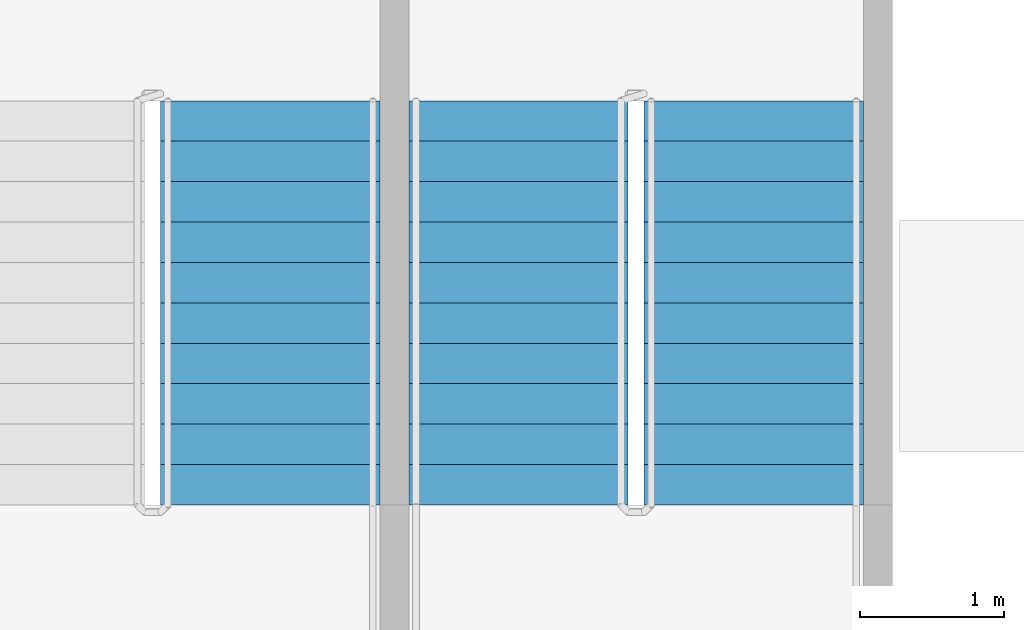
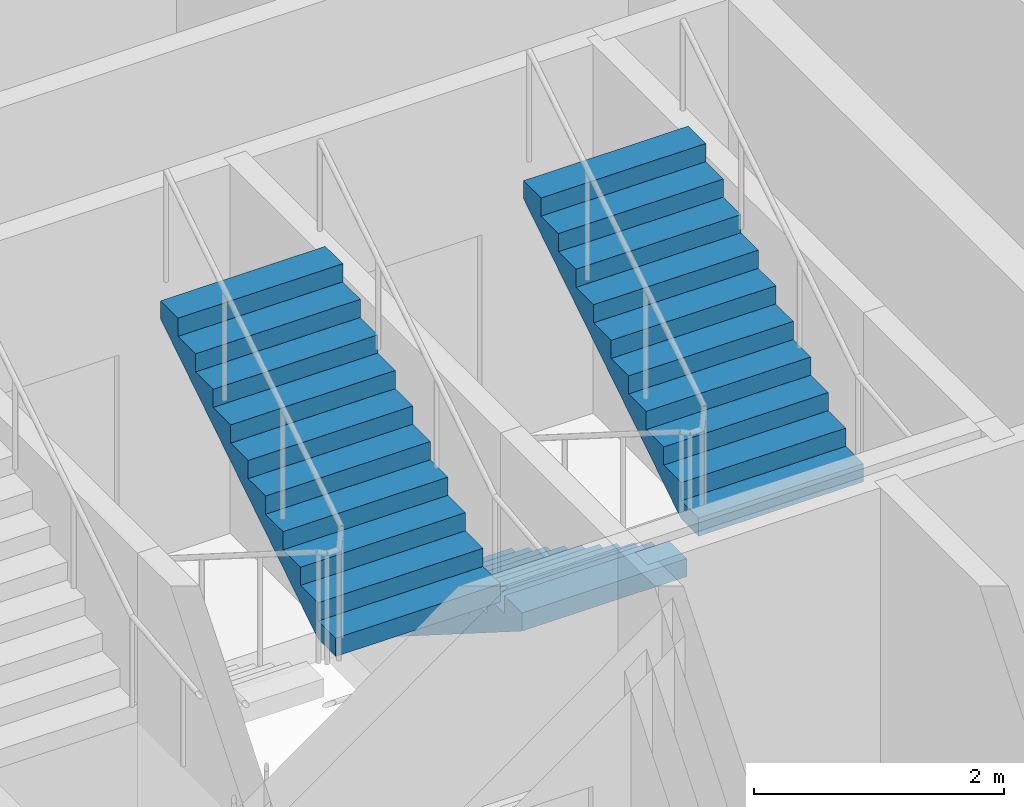
# One storey, part 8 of 9: 3 stair flights, 2 elements without a shape of their own.
"""IFC4 building model written with IfcOpenShell, lengths in metres."""

from ifc_helpers import new_model, si_unit, direction, frame, origin, place, context, subcontext, project, spatial, polyline, outline, extrude, material, type_object, element, aggregate, save


model = new_model("IFC4")

# Units and contexts
model_context = context("Model", 3, precision=1e-05, world=origin(), true_north=direction((0.0, 1.0)))
body_context = subcontext(model_context, "Body", "Model", "MODEL_VIEW")
ifc_project = project(units=[si_unit("LENGTHUNIT", "METRE"), si_unit("AREAUNIT", "SQUARE_METRE"), si_unit("VOLUMEUNIT", "CUBIC_METRE"), si_unit("PLANEANGLEUNIT", "RADIAN"), si_unit("MASSUNIT", "GRAM", prefix="KILO")], contexts=[model_context])

# Site, building, storey
site_placement = place(None, origin())
site = spatial("IfcSite", under=ifc_project, at=site_placement, CompositionType="ELEMENT")
building_placement = place(site_placement, origin())
building = spatial("IfcBuilding", under=site, at=building_placement, Name="Tessera Arch", CompositionType="ELEMENT")
storey_placement = place(building_placement, frame((0.0, 0.0, 312.89990234375)))
storey = spatial("IfcBuildingStorey", under=building, at=storey_placement, Name="L75", CompositionType="ELEMENT", Elevation=312.89990234375)

# Stair, stair flight
ifc_material_1 = material(Name="Concrete C40/50", Category="concrete")
stair_type = type_object("IfcStairType", Name="Dogleg stair 1520", PredefinedType="HALF_TURN_STAIR", material=ifc_material_1)
stair_1_placement = place(storey_placement, origin())
stair_1 = element("IfcStair", 1, at=stair_1_placement, inside=storey, type_object=stair_type, Name="L75 S1b", PredefinedType="HALF_TURN_STAIR")
ifc_material_2 = material(Name="Concrete C40/50", Category="concrete")
stair_flight_type = type_object("IfcStairFlightType", Name="Stair flight 1520", PredefinedType="STRAIGHT", material=ifc_material_2)
stair_flight_1_placement = place(storey_placement, frame((42.43994140625, 40.780029296875, 1.9501953125), z_axis=(0.0, 0.0, 1.0), x_axis=(0.0, 1.0, 0.0)))
stair_flight_1 = element("IfcStairFlight", 2, at=stair_flight_1_placement, type_object=stair_flight_type, Name="S1b flight 2", NumberOfRisers=11, NumberOfTreads=10, PredefinedType="STRAIGHT", RiserHeight=0.177272727, TreadLength=0.28, context=body_context, shape_type="SweptSolid", body=[
    extrude(outline(polyline([(0.0, 0.0), (0.0, 0.17724609375), (0.280029296875, 0.17724609375), (0.280029296875, 0.3544921875), (0.56005859375, 0.3544921875), (0.56005859375, 0.53173828125), (0.840087890625, 0.53173828125), (0.840087890625, 0.708984375), (1.1201171875, 0.708984375), (1.1201171875, 0.886474609375), (1.39990234375, 0.886474609375), (1.39990234375, 1.063720703125), (1.679931640625, 1.063720703125), (1.679931640625, 1.240966796875), (1.9599609375, 1.240966796875), (1.9599609375, 1.418212890625), (2.239990234375, 1.418212890625), (2.239990234375, 1.595458984375), (2.52001953125, 1.595458984375), (2.52001953125, 1.772705078125), (2.800048828125, 1.772705078125), (2.800048828125, 1.949951171875), (2.800048828125, 1.59521484375), (0.2802734375, 0.0), (0.0, 0.0)])), frame((0.0, 0.760009765625, 0.0), z_axis=(0.0, -1.0, 0.0), x_axis=(1.0, 0.0, 0.0)), (0.0, 0.0, 1.0), 1.52001953125),
])
aggregate(stair_1, [stair_flight_1])

# Stair, stair flights
stair_2_placement = place(storey_placement, origin())
stair_2 = element("IfcStair", 3, at=stair_2_placement, inside=storey, type_object=stair_type, Name="L75 S1c", PredefinedType="HALF_TURN_STAIR")
stair_flight_2_placement = place(storey_placement, frame((44.159912109375, 43.580078125, 0.0), z_axis=(0.0, 0.0, 1.0), x_axis=(0.0, -1.0, 0.0)))
stair_flight_2 = element("IfcStairFlight", 4, at=stair_flight_2_placement, type_object=stair_flight_type, Name="S1c flight 1", NumberOfRisers=11, NumberOfTreads=10, PredefinedType="STRAIGHT", RiserHeight=0.177272727, TreadLength=0.28, context=body_context, shape_type="SweptSolid", body=[
    extrude(outline(polyline([(0.0, 0.0), (0.0, 0.17724609375), (0.280029296875, 0.17724609375), (0.280029296875, 0.3544921875), (0.56005859375, 0.3544921875), (0.56005859375, 0.53173828125), (0.840087890625, 0.53173828125), (0.840087890625, 0.708984375), (1.1201171875, 0.708984375), (1.1201171875, 0.886474609375), (1.39990234375, 0.886474609375), (1.39990234375, 1.063720703125), (1.679931640625, 1.063720703125), (1.679931640625, 1.240966796875), (1.9599609375, 1.240966796875), (1.9599609375, 1.418212890625), (2.239990234375, 1.418212890625), (2.239990234375, 1.595458984375), (2.52001953125, 1.595458984375), (2.52001953125, 1.772705078125), (2.800048828125, 1.772705078125), (2.800048828125, 1.949951171875), (2.800048828125, 1.59521484375), (0.2802734375, 0.0), (0.0, 0.0)])), frame((0.0, 0.760009765625, 0.0), z_axis=(0.0, -1.0, 0.0), x_axis=(1.0, 0.0, 0.0)), (0.0, 0.0, 1.0), 1.52001953125),
])
stair_flight_3_placement = place(storey_placement, frame((45.7900390625, 40.780029296875, 1.9501953125), z_axis=(0.0, 0.0, 1.0), x_axis=(0.0, 1.0, 0.0)))
stair_flight_3 = element("IfcStairFlight", 5, at=stair_flight_3_placement, type_object=stair_flight_type, Name="S1c flight 2", NumberOfRisers=11, NumberOfTreads=10, PredefinedType="STRAIGHT", RiserHeight=0.177272727, TreadLength=0.28, context=body_context, shape_type="SweptSolid", body=[
    extrude(outline(polyline([(0.0, 0.0), (0.0, 0.17724609375), (0.280029296875, 0.17724609375), (0.280029296875, 0.3544921875), (0.56005859375, 0.3544921875), (0.56005859375, 0.53173828125), (0.840087890625, 0.53173828125), (0.840087890625, 0.708984375), (1.1201171875, 0.708984375), (1.1201171875, 0.886474609375), (1.39990234375, 0.886474609375), (1.39990234375, 1.063720703125), (1.679931640625, 1.063720703125), (1.679931640625, 1.240966796875), (1.9599609375, 1.240966796875), (1.9599609375, 1.418212890625), (2.239990234375, 1.418212890625), (2.239990234375, 1.595458984375), (2.52001953125, 1.595458984375), (2.52001953125, 1.772705078125), (2.800048828125, 1.772705078125), (2.800048828125, 1.949951171875), (2.800048828125, 1.59521484375), (0.2802734375, 0.0), (0.0, 0.0)])), frame((0.0, 0.760009765625, 0.0), z_axis=(0.0, -1.0, 0.0), x_axis=(1.0, 0.0, 0.0)), (0.0, 0.0, 1.0), 1.52001953125),
])
aggregate(stair_2, [stair_flight_2, stair_flight_3])

save(model, "model.ifc")
